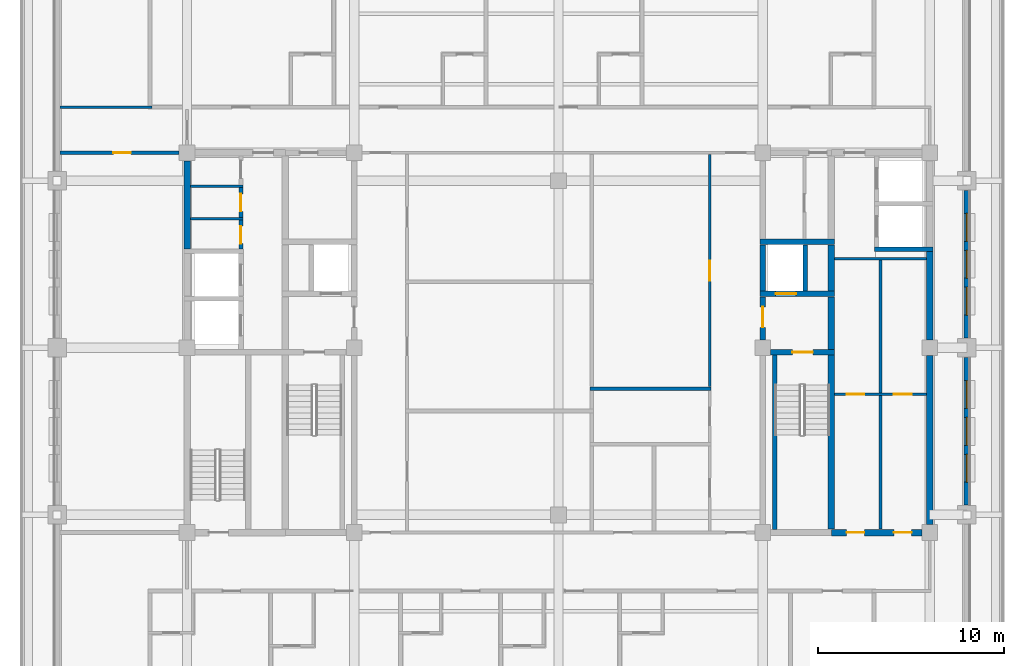
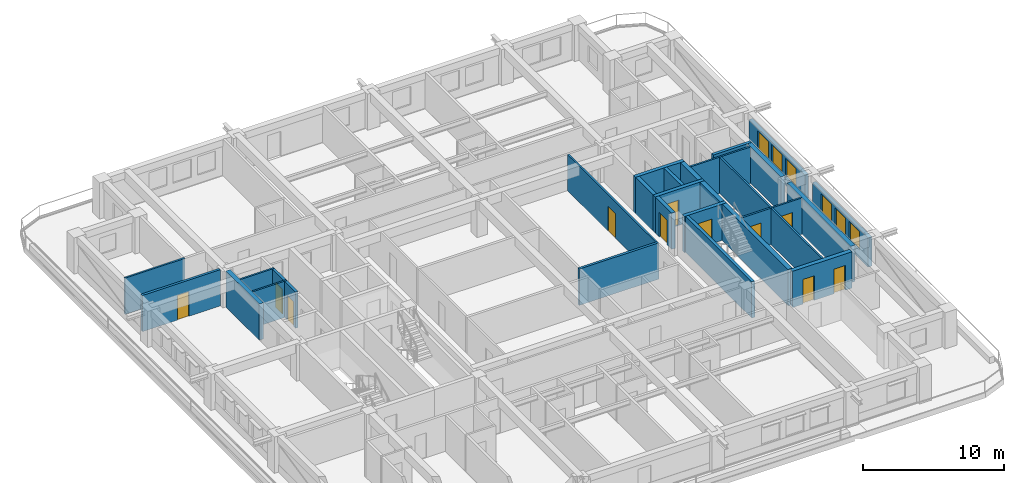
# One storey, part 5 of 15: 29 walls, 11 doors, 6 windows, 17 openings.
"""IFC4 building model written with IfcOpenShell, lengths in metres."""

from ifc_helpers import new_model, si_unit, direction, frame, frame_2d, origin, place, context, subcontext, project, spatial, rectangle, extrude, material, layer, layer_set, type_object, element, fill, save


model = new_model("IFC4")

# Units and contexts
model_context = context("Model", 3, precision=1e-05, world=origin(), true_north=direction((0.0, 1.0)))
body_context = subcontext(model_context, "Body", "Model", "MODEL_VIEW")
ifc_project = project(units=[si_unit("LENGTHUNIT", "METRE"), si_unit("AREAUNIT", "SQUARE_METRE"), si_unit("VOLUMEUNIT", "CUBIC_METRE"), si_unit("PLANEANGLEUNIT", "RADIAN"), si_unit("MASSUNIT", "GRAM", prefix="KILO")], contexts=[model_context])

# Site, building, storey
site_placement = place(None, origin())
site = spatial("IfcSite", under=ifc_project, at=site_placement, CompositionType="ELEMENT")
building_placement = place(site_placement, origin())
building = spatial("IfcBuilding", under=site, at=building_placement, Name="Zulmaris Gate Convention Tower", CompositionType="ELEMENT")
storey_placement = place(building_placement, frame((0.0, 0.0, 201.659912109375)))
storey = spatial("IfcBuildingStorey", under=building, at=storey_placement, Name="L52", CompositionType="ELEMENT", Elevation=201.659912109375)

# Walls
ifc_material_1 = material(Name="Concrete C50/60", Category="concrete")
ifc_layer_1 = layer(ifc_material_1, 0.25, Name="Concrete C50/60")
ifc_layer_set_1 = layer_set([ifc_layer_1], Name="Concrete C50/60")
wall_type_1 = type_object("IfcWallType", Name="CORE-250", PredefinedType="SOLIDWALL", material=ifc_layer_set_1)
wall_1_placement = place(storey_placement, frame((17.02490234375, 5.300048828125, 0.0), z_axis=(0.0, 0.0, 1.0), x_axis=(1.0, 0.0, 0.0)))
element("IfcWall", 1, at=wall_1_placement, inside=storey, type_object=wall_type_1, Name="WL-L52-011", PredefinedType="SOLIDWALL", context=body_context, shape_type="SweptSolid", body=[
    extrude(rectangle(XDim=3.150146484375, YDim=0.25, at=frame_2d((1.5751953125, 0.0))), origin(), (0.0, 0.0, 1.0), 3.150146484375),
])
wall_2_placement = place(storey_placement, frame((11.64990234375, -9.798095703125, 0.0), z_axis=(0.0, 0.0, 1.0), x_axis=(0.0, 1.0, 0.0)))
element("IfcWall", 2, at=wall_2_placement, inside=storey, type_object=wall_type_1, Name="WL-L52-066", PredefinedType="SOLIDWALL", context=body_context, shape_type="SweptSolid", body=[
    extrude(rectangle(XDim=9.39599609375, YDim=0.25, at=frame_2d((4.697998046875, 0.0))), origin(), (0.0, 0.0, 1.0), 3.150146484375),
])
wall_3_placement = place(storey_placement, frame((13.300048828125, 3.052001953125, 0.0), z_axis=(0.0, 0.0, 1.0), x_axis=(0.0, 1.0, 0.0)))
element("IfcWall", 3, at=wall_3_placement, inside=storey, type_object=wall_type_1, Name="WL-L52-067", PredefinedType="SOLIDWALL", context=body_context, shape_type="SweptSolid", body=[
    extrude(rectangle(XDim=2.49609375, YDim=0.25, at=frame_2d((1.248046875, 0.0))), origin(), (0.0, 0.0, 1.0), 3.150146484375),
])

# Wall, opening, door
ifc_layer_2 = layer(ifc_material_1, 0.300048828125, Name="Concrete C50/60")
ifc_layer_set_2 = layer_set([ifc_layer_2], Name="Concrete C50/60")
wall_type_2 = type_object("IfcWallType", Name="CORE-300", PredefinedType="SHEAR", material=ifc_layer_set_2)
wall_4_placement = place(storey_placement, frame((11.428955078125, -0.25, 0.0), z_axis=(0.0, 0.0, 1.0), x_axis=(1.0, 0.0, 0.0)))
wall_4 = element("IfcWall", 4, at=wall_4_placement, inside=storey, type_object=wall_type_2, Name="WL-L52-006", PredefinedType="SHEAR", context=body_context, shape_type="SweptSolid", body=[
    extrude(rectangle(XDim=3.446044921875, YDim=0.300048828125, at=frame_2d((1.72314453125, 0.0))), origin(), (0.0, 0.0, 1.0), 3.150146484375),
])
opening_1_placement = place(wall_4_placement, frame((1.1708984375, 0.0, 0.0)))
opening_1 = element("IfcOpeningElement", 5, at=opening_1_placement, cuts=wall_4, Name="Opening D-08", PredefinedType="OPENING", context=body_context, shape_type="SweptSolid", body=[
    extrude(rectangle(XDim=1.10009765625, YDim=2.14990234375, at=frame_2d((0.550048828125, 1.074951171875))), frame((0.0, 0.16015625, 0.0), z_axis=(0.0, -1.0, 0.0), x_axis=(1.0, 0.0, 0.0)), (0.0, 0.0, 1.0), 0.320068359375),
])
ifc_material_2 = material(Name="Fire-Rated Steel", Category="steel")
door_type_1 = type_object("IfcDoorType", Name="DR-1100-FD", OperationType="NOTDEFINED", PredefinedType="DOOR", material=ifc_material_2)
door_1_placement = place(opening_1_placement, origin())
door_1 = element("IfcDoor", 6, at=door_1_placement, inside=storey, type_object=door_type_1, Name="L52 Exit Stair ST-2 Door 04", OperationType="SINGLE_SWING_LEFT", OverallHeight=2.14990234375, OverallWidth=1.10009765625, PredefinedType="DOOR", context=body_context, shape_type="SweptSolid", body=[
    extrude(rectangle(XDim=1.10009765625, YDim=2.14990234375, at=frame_2d((0.550048828125, 1.074951171875))), frame((0.0, 0.02490234375, 0.0), z_axis=(0.0, -1.0, 0.0), x_axis=(1.0, 0.0, 0.0)), (0.0, 0.0, 1.0), 0.050048828125),
])
fill(opening_1, door_1)

wall_5_placement = place(storey_placement, frame((10.85009765625, 2.89990234375, 0.0), z_axis=(0.0, 0.0, 1.0), x_axis=(1.0, 0.0, 0.0)))
wall_5 = element("IfcWall", 7, at=wall_5_placement, inside=storey, type_object=wall_type_2, Name="WL-L52-009", PredefinedType="SHEAR", context=body_context, shape_type="SweptSolid", body=[
    extrude(rectangle(XDim=4.02490234375, YDim=0.300048828125, at=frame_2d((2.012451171875, 0.0))), origin(), (0.0, 0.0, 1.0), 3.150146484375),
])
opening_2_placement = place(wall_5_placement, frame((0.85009765625, 0.0, 0.0)))
opening_2 = element("IfcOpeningElement", 8, at=opening_2_placement, cuts=wall_5, Name="Opening D-06", PredefinedType="OPENING", context=body_context, shape_type="SweptSolid", body=[
    extrude(rectangle(XDim=1.10009765625, YDim=2.199951171875, at=frame_2d((0.550048828125, 1.10009765625))), frame((0.0, 0.16015625, 0.0), z_axis=(0.0, -1.0, 0.0), x_axis=(1.0, 0.0, 0.0)), (0.0, 0.0, 1.0), 0.320068359375),
])
ifc_material_3 = material(Name="Brushed Stainless Steel", Category="steel")
door_type_2 = type_object("IfcDoorType", Name="LD-1100", OperationType="NOTDEFINED", PredefinedType="DOOR", material=ifc_material_3)
door_2_placement = place(opening_2_placement, origin())
door_2 = element("IfcDoor", 9, at=door_2_placement, inside=storey, type_object=door_type_2, Name="L52 Lift Landing Door LF-02 06", OperationType="SLIDING_TO_RIGHT", OverallHeight=2.199951171875, OverallWidth=1.10009765625, PredefinedType="DOOR", context=body_context, shape_type="SweptSolid", body=[
    extrude(rectangle(XDim=1.10009765625, YDim=2.199951171875, at=frame_2d((0.550048828125, 1.10009765625))), frame((0.0, 0.02490234375, 0.0), z_axis=(0.0, -1.0, 0.0), x_axis=(1.0, 0.0, 0.0)), (0.0, 0.0, 1.0), 0.050048828125),
])
fill(opening_2, door_2)

# Wall
wall_6_placement = place(storey_placement, frame((10.85009765625, 5.699951171875, 0.0), z_axis=(0.0, 0.0, 1.0), x_axis=(1.0, 0.0, 0.0)))
element("IfcWall", 10, at=wall_6_placement, inside=storey, type_object=wall_type_2, Name="WL-L52-013", PredefinedType="SHEAR", context=body_context, shape_type="SweptSolid", body=[
    extrude(rectangle(XDim=4.02490234375, YDim=0.300048828125, at=frame_2d((2.012451171875, 0.0))), origin(), (0.0, 0.0, 1.0), 3.150146484375),
])

# Wall, opening, door
wall_7_placement = place(storey_placement, frame((11.0, 0.428955078125, 0.0), z_axis=(0.0, 0.0, 1.0), x_axis=(0.0, 1.0, 0.0)))
wall_7 = element("IfcWall", 11, at=wall_7_placement, inside=storey, type_object=wall_type_2, Name="WL-L52-063", PredefinedType="SHEAR", context=body_context, shape_type="SweptSolid", body=[
    extrude(rectangle(XDim=2.319091796875, YDim=0.300048828125, at=frame_2d((1.15966796875, 0.0))), origin(), (0.0, 0.0, 1.0), 3.150146484375),
])
opening_3_placement = place(wall_7_placement, frame((0.6708984375, 0.0, 0.0)))
opening_3 = element("IfcOpeningElement", 12, at=opening_3_placement, cuts=wall_7, Name="Opening D-08", PredefinedType="OPENING", context=body_context, shape_type="SweptSolid", body=[
    extrude(rectangle(XDim=1.10009765625, YDim=2.14990234375, at=frame_2d((0.550048828125, 1.074951171875))), frame((0.0, 0.16015625, 0.0), z_axis=(0.0, -1.0, 0.0), x_axis=(1.0, 0.0, 0.0)), (0.0, 0.0, 1.0), 0.320068359375),
])
door_3_placement = place(opening_3_placement, origin())
door_3 = element("IfcDoor", 13, at=door_3_placement, inside=storey, type_object=door_type_1, Name="L52 East Firefighting Lobby Door 05", OperationType="SINGLE_SWING_RIGHT", OverallHeight=2.14990234375, OverallWidth=1.10009765625, PredefinedType="DOOR", context=body_context, shape_type="SweptSolid", body=[
    extrude(rectangle(XDim=1.10009765625, YDim=2.14990234375, at=frame_2d((0.550048828125, 1.074951171875))), frame((0.0, 0.02490234375, 0.0), z_axis=(0.0, -1.0, 0.0), x_axis=(1.0, 0.0, 0.0)), (0.0, 0.0, 1.0), 0.050048828125),
])
fill(opening_3, door_3)

# Wall
wall_8_placement = place(storey_placement, frame((11.0, 3.052001953125, 0.0), z_axis=(0.0, 0.0, 1.0), x_axis=(0.0, 1.0, 0.0)))
element("IfcWall", 14, at=wall_8_placement, inside=storey, type_object=wall_type_2, Name="WL-L52-064", PredefinedType="SHEAR", context=body_context, shape_type="SweptSolid", body=[
    extrude(rectangle(XDim=2.49609375, YDim=0.300048828125, at=frame_2d((1.248046875, 0.0))), origin(), (0.0, 0.0, 1.0), 3.150146484375),
])

# Wall, openings, doors
ifc_material_4 = material(Name="Concrete C55/67", Category="concrete")
ifc_layer_3 = layer(ifc_material_4, 0.35009765625, Name="Concrete C55/67")
ifc_layer_set_3 = layer_set([ifc_layer_3], Name="Concrete C55/67")
wall_type_3 = type_object("IfcWallType", Name="CORE-350", PredefinedType="SHEAR", material=ifc_layer_set_3)
wall_9_placement = place(storey_placement, frame((14.699951171875, -9.949951171875, 0.0), z_axis=(0.0, 0.0, 1.0), x_axis=(1.0, 0.0, 0.0)))
wall_9 = element("IfcWall", 15, at=wall_9_placement, inside=storey, type_object=wall_type_3, Name="WL-L52-004", PredefinedType="SHEAR", context=body_context, shape_type="SweptSolid", body=[
    extrude(rectangle(XDim=4.87109375, YDim=0.35009765625, at=frame_2d((2.435546875, 0.0))), origin(), (0.0, 0.0, 1.0), 3.150146484375),
])
opening_4_placement = place(wall_9_placement, frame((0.824951171875, 0.0, 0.0)))
opening_4 = element("IfcOpeningElement", 16, at=opening_4_placement, cuts=wall_9, Name="Opening D-11", PredefinedType="OPENING", context=body_context, shape_type="SweptSolid", body=[
    extrude(rectangle(XDim=0.949951171875, YDim=2.14990234375, at=frame_2d((0.47509765625, 1.074951171875))), frame((0.0, 0.18505859375, 0.0), z_axis=(0.0, -1.0, 0.0), x_axis=(1.0, 0.0, 0.0)), (0.0, 0.0, 1.0), 0.3701171875),
])
opening_5_placement = place(wall_9_placement, frame((3.375, 0.0, 0.0)))
opening_5 = element("IfcOpeningElement", 17, at=opening_5_placement, cuts=wall_9, Name="Opening D-11", PredefinedType="OPENING", context=body_context, shape_type="SweptSolid", body=[
    extrude(rectangle(XDim=0.949951171875, YDim=2.14990234375, at=frame_2d((0.47509765625, 1.074951171875))), frame((0.0, 0.18505859375, 0.0), z_axis=(0.0, -1.0, 0.0), x_axis=(1.0, 0.0, 0.0)), (0.0, 0.0, 1.0), 0.3701171875),
])
ifc_material_5 = material(Name="Fire-Rated Timber", Category="wood")
door_type_3 = type_object("IfcDoorType", Name="DR-950-FD", OperationType="NOTDEFINED", PredefinedType="DOOR", material=ifc_material_5)
door_4_placement = place(opening_4_placement, origin())
door_4 = element("IfcDoor", 18, at=door_4_placement, inside=storey, type_object=door_type_3, Name="L52 Staff WC Door 20", OperationType="SINGLE_SWING_RIGHT", OverallHeight=2.14990234375, OverallWidth=0.949951171875, PredefinedType="DOOR", context=body_context, shape_type="SweptSolid", body=[
    extrude(rectangle(XDim=0.949951171875, YDim=2.14990234375, at=frame_2d((0.47509765625, 1.074951171875))), frame((0.0, 0.02490234375, 0.0), z_axis=(0.0, -1.0, 0.0), x_axis=(1.0, 0.0, 0.0)), (0.0, 0.0, 1.0), 0.050048828125),
])
fill(opening_4, door_4)
door_5_placement = place(opening_5_placement, origin())
door_5 = element("IfcDoor", 19, at=door_5_placement, inside=storey, type_object=door_type_3, Name="L52 Vending Room Door 22", OperationType="SINGLE_SWING_RIGHT", OverallHeight=2.14990234375, OverallWidth=0.949951171875, PredefinedType="DOOR", context=body_context, shape_type="SweptSolid", body=[
    extrude(rectangle(XDim=0.949951171875, YDim=2.14990234375, at=frame_2d((0.47509765625, 1.074951171875))), frame((0.0, 0.02490234375, 0.0), z_axis=(0.0, -1.0, 0.0), x_axis=(1.0, 0.0, 0.0)), (0.0, 0.0, 1.0), 0.050048828125),
])
fill(opening_5, door_5)

# Walls
wall_10_placement = place(storey_placement, frame((-20.0, 5.326904296875, 0.0), z_axis=(0.0, 0.0, 1.0), x_axis=(0.0, 1.0, 0.0)))
element("IfcWall", 20, at=wall_10_placement, inside=storey, type_object=wall_type_3, Name="WL-L52-048", PredefinedType="SHEAR", context=body_context, shape_type="SweptSolid", body=[
    extrude(rectangle(XDim=4.744140625, YDim=0.35009765625, at=frame_2d((2.3720703125, 0.0))), origin(), (0.0, 0.0, 1.0), 3.150146484375),
])
wall_11_placement = place(storey_placement, frame((14.699951171875, -9.77294921875, 0.0), z_axis=(0.0, 0.0, 1.0), x_axis=(0.0, 1.0, 0.0)))
element("IfcWall", 21, at=wall_11_placement, inside=storey, type_object=wall_type_3, Name="WL-L52-068", PredefinedType="SHEAR", context=body_context, shape_type="SweptSolid", body=[
    extrude(rectangle(XDim=9.370849609375, YDim=0.35009765625, at=frame_2d((4.685546875, 0.0))), origin(), (0.0, 0.0, 1.0), 3.150146484375),
])
wall_12_placement = place(storey_placement, frame((14.699951171875, -0.097900390625, 0.0), z_axis=(0.0, 0.0, 1.0), x_axis=(0.0, 1.0, 0.0)))
element("IfcWall", 22, at=wall_12_placement, inside=storey, type_object=wall_type_3, Name="WL-L52-069", PredefinedType="SHEAR", context=body_context, shape_type="SweptSolid", body=[
    extrude(rectangle(XDim=2.845947265625, YDim=0.35009765625, at=frame_2d((1.4228515625, 0.0))), origin(), (0.0, 0.0, 1.0), 3.150146484375),
])
wall_13_placement = place(storey_placement, frame((14.699951171875, 3.052001953125, 0.0), z_axis=(0.0, 0.0, 1.0), x_axis=(0.0, 1.0, 0.0)))
element("IfcWall", 23, at=wall_13_placement, inside=storey, type_object=wall_type_3, Name="WL-L52-070", PredefinedType="SHEAR", context=body_context, shape_type="SweptSolid", body=[
    extrude(rectangle(XDim=2.49609375, YDim=0.35009765625, at=frame_2d((1.248046875, 0.0))), origin(), (0.0, 0.0, 1.0), 3.150146484375),
])
wall_14_placement = place(storey_placement, frame((20.0, -9.52099609375, 0.0), z_axis=(0.0, 0.0, 1.0), x_axis=(0.0, 1.0, 0.0)))
element("IfcWall", 24, at=wall_14_placement, inside=storey, type_object=wall_type_3, Name="WL-L52-074", PredefinedType="SHEAR", context=body_context, shape_type="SweptSolid", body=[
    extrude(rectangle(XDim=9.092041015625, YDim=0.35009765625, at=frame_2d((4.5458984375, 0.0))), origin(), (0.0, 0.0, 1.0), 3.150146484375),
])
wall_15_placement = place(storey_placement, frame((20.0, 0.428955078125, 0.0), z_axis=(0.0, 0.0, 1.0), x_axis=(0.0, 1.0, 0.0)))
element("IfcWall", 25, at=wall_15_placement, inside=storey, type_object=wall_type_3, Name="WL-L52-074S1", PredefinedType="SHEAR", context=body_context, shape_type="SweptSolid", body=[
    extrude(rectangle(XDim=4.744140625, YDim=0.35009765625, at=frame_2d((2.3720703125, 0.0))), origin(), (0.0, 0.0, 1.0), 3.150146484375),
])

# Wall, openings, doors
ifc_material_6 = material(Name="Gypsum Metal Stud Partition")
ifc_layer_4 = layer(ifc_material_6, 0.14990234375, Name="Gypsum Metal Stud Partition")
ifc_layer_set_4 = layer_set([ifc_layer_4], Name="Gypsum Metal Stud Partition")
wall_type_4 = type_object("IfcWallType", Name="PART-150", PredefinedType="PARTITIONING", material=ifc_layer_set_4)
wall_16_placement = place(storey_placement, frame((14.8779296875, -2.5, 0.0), z_axis=(0.0, 0.0, 1.0), x_axis=(1.0, 0.0, 0.0)))
wall_16 = element("IfcWall", 26, at=wall_16_placement, inside=storey, type_object=wall_type_4, Name="WL-L52-030", PredefinedType="PARTITIONING", context=body_context, shape_type="SweptSolid", body=[
    extrude(rectangle(XDim=4.944091796875, YDim=0.14990234375, at=frame_2d((2.47216796875, 0.0))), origin(), (0.0, 0.0, 1.0), 3.150146484375),
])
opening_6_placement = place(wall_16_placement, frame((0.64697265625, 0.0, 0.0)))
opening_6 = element("IfcOpeningElement", 27, at=opening_6_placement, cuts=wall_16, Name="Opening D-11", PredefinedType="OPENING", context=body_context, shape_type="SweptSolid", body=[
    extrude(rectangle(XDim=0.949951171875, YDim=2.14990234375, at=frame_2d((0.47509765625, 1.074951171875))), frame((0.0, 0.0849609375, 0.0), z_axis=(0.0, -1.0, 0.0), x_axis=(1.0, 0.0, 0.0)), (0.0, 0.0, 1.0), 0.169921875),
])
opening_7_placement = place(wall_16_placement, frame((3.197021484375, 0.0, 0.0)))
opening_7 = element("IfcOpeningElement", 28, at=opening_7_placement, cuts=wall_16, Name="Opening D-11", PredefinedType="OPENING", context=body_context, shape_type="SweptSolid", body=[
    extrude(rectangle(XDim=0.949951171875, YDim=2.14990234375, at=frame_2d((0.47509765625, 1.074951171875))), frame((0.0, 0.0849609375, 0.0), z_axis=(0.0, -1.0, 0.0), x_axis=(1.0, 0.0, 0.0)), (0.0, 0.0, 1.0), 0.169921875),
])
door_6_placement = place(opening_6_placement, origin())
door_6 = element("IfcDoor", 29, at=door_6_placement, inside=storey, type_object=door_type_3, Name="L52 Locker Store Door 21", OperationType="SINGLE_SWING_LEFT", OverallHeight=2.14990234375, OverallWidth=0.949951171875, PredefinedType="DOOR", context=body_context, shape_type="SweptSolid", body=[
    extrude(rectangle(XDim=0.949951171875, YDim=2.14990234375, at=frame_2d((0.47509765625, 1.074951171875))), frame((0.0, 0.02490234375, 0.0), z_axis=(0.0, -1.0, 0.0), x_axis=(1.0, 0.0, 0.0)), (0.0, 0.0, 1.0), 0.050048828125),
])
fill(opening_6, door_6)
door_7_placement = place(opening_7_placement, origin())
door_7 = element("IfcDoor", 30, at=door_7_placement, inside=storey, type_object=door_type_3, Name="L52 Ice Store Door 23", OperationType="SINGLE_SWING_LEFT", OverallHeight=2.14990234375, OverallWidth=0.949951171875, PredefinedType="DOOR", context=body_context, shape_type="SweptSolid", body=[
    extrude(rectangle(XDim=0.949951171875, YDim=2.14990234375, at=frame_2d((0.47509765625, 1.074951171875))), frame((0.0, 0.02490234375, 0.0), z_axis=(0.0, -1.0, 0.0), x_axis=(1.0, 0.0, 0.0)), (0.0, 0.0, 1.0), 0.050048828125),
])
fill(opening_7, door_7)

# Walls
wall_17_placement = place(storey_placement, frame((14.8779296875, 4.800048828125, 0.0), z_axis=(0.0, 0.0, 1.0), x_axis=(1.0, 0.0, 0.0)))
element("IfcWall", 31, at=wall_17_placement, inside=storey, type_object=wall_type_4, Name="WL-L52-033", PredefinedType="PARTITIONING", context=body_context, shape_type="SweptSolid", body=[
    extrude(rectangle(XDim=4.944091796875, YDim=0.14990234375, at=frame_2d((2.47216796875, 0.0))), origin(), (0.0, 0.0, 1.0), 3.150146484375),
])
for number, where, z_axis, x_axis, name in (
    (32, (-19.822021484375, 6.949951171875, 0.0), (0.0, 0.0, 1.0), (1.0, 0.0, 0.0), "WL-L52-034"),
    (33, (-19.822021484375, 8.699951171875, 0.0), (0.0, 0.0, 1.0), (1.0, 0.0, 0.0), "WL-L52-035"),
):
    element("IfcWall", number, at=place(storey_placement, frame(where, z_axis=z_axis, x_axis=x_axis)), inside=storey, type_object=wall_type_4, Name=name, PredefinedType="PARTITIONING", context=body_context, shape_type="SweptSolid", body=[
        extrude(rectangle(XDim=2.822021484375, YDim=0.14990234375, at=frame_2d((1.4111328125, 0.0))), origin(), (0.0, 0.0, 1.0), 3.150146484375),
    ])
wall_18_placement = place(storey_placement, frame((-26.8349609375, 12.949951171875, 0.0), z_axis=(0.0, 0.0, 1.0), x_axis=(1.0, 0.0, 0.0)))
element("IfcWall", 34, at=wall_18_placement, inside=storey, type_object=wall_type_4, Name="WL-L52-038", PredefinedType="PARTITIONING", context=body_context, shape_type="SweptSolid", body=[
    extrude(rectangle(XDim=4.93505859375, YDim=0.14990234375, at=frame_2d((2.467529296875, 0.0))), origin(), (0.0, 0.0, 1.0), 3.150146484375),
])

# Wall, opening, door
wall_19_placement = place(storey_placement, frame((8.14990234375, -2.096923828125, 0.0), z_axis=(0.0, 0.0, 1.0), x_axis=(0.0, 1.0, 0.0)))
wall_19 = element("IfcWall", 35, at=wall_19_placement, inside=storey, type_object=wall_type_4, Name="WL-L52-118", PredefinedType="PARTITIONING", context=body_context, shape_type="SweptSolid", body=[
    extrude(rectangle(XDim=12.51904296875, YDim=0.14990234375, at=frame_2d((6.259521484375, 0.0))), origin(), (0.0, 0.0, 1.0), 3.150146484375),
])
opening_8_placement = place(wall_19_placement, frame((5.697021484375, 0.0, 0.0)))
opening_8 = element("IfcOpeningElement", 36, at=opening_8_placement, cuts=wall_19, Name="Opening D-08", PredefinedType="OPENING", context=body_context, shape_type="SweptSolid", body=[
    extrude(rectangle(XDim=1.10009765625, YDim=2.14990234375, at=frame_2d((0.550048828125, 1.074951171875))), frame((0.0, 0.0849609375, 0.0), z_axis=(0.0, -1.0, 0.0), x_axis=(1.0, 0.0, 0.0)), (0.0, 0.0, 1.0), 0.169921875),
])
door_8_placement = place(opening_8_placement, origin())
door_8 = element("IfcDoor", 37, at=door_8_placement, inside=storey, type_object=door_type_1, Name="L52 Breakout Room Door 50", OperationType="SINGLE_SWING_RIGHT", OverallHeight=2.14990234375, OverallWidth=1.10009765625, PredefinedType="DOOR", context=body_context, shape_type="SweptSolid", body=[
    extrude(rectangle(XDim=1.10009765625, YDim=2.14990234375, at=frame_2d((0.550048828125, 1.074951171875))), frame((0.0, 0.02490234375, 0.0), z_axis=(0.0, -1.0, 0.0), x_axis=(1.0, 0.0, 0.0)), (0.0, 0.0, 1.0), 0.050048828125),
])
fill(opening_8, door_8)

# Walls
wall_20_placement = place(storey_placement, frame((17.35009765625, -9.77197265625, 0.0), z_axis=(0.0, 0.0, 1.0), x_axis=(0.0, 1.0, 0.0)))
element("IfcWall", 38, at=wall_20_placement, inside=storey, type_object=wall_type_4, Name="WL-L52-125", PredefinedType="PARTITIONING", context=body_context, shape_type="SweptSolid", body=[
    extrude(rectangle(XDim=7.194091796875, YDim=0.14990234375, at=frame_2d((3.59716796875, 0.0))), origin(), (0.0, 0.0, 1.0), 3.150146484375),
])
wall_21_placement = place(storey_placement, frame((17.35009765625, -2.422119140625, 0.0), z_axis=(0.0, 0.0, 1.0), x_axis=(0.0, 1.0, 0.0)))
element("IfcWall", 39, at=wall_21_placement, inside=storey, type_object=wall_type_4, Name="WL-L52-126", PredefinedType="PARTITIONING", context=body_context, shape_type="SweptSolid", body=[
    extrude(rectangle(XDim=7.14404296875, YDim=0.14990234375, at=frame_2d((3.572021484375, 0.0))), origin(), (0.0, 0.0, 1.0), 3.150146484375),
])
ifc_material_7 = material(Name="Autoclaved Aerated Concrete Block and Plasterboard", Category="concrete")
ifc_layer_5 = layer(ifc_material_7, 0.199951171875, Name="Autoclaved Aerated Concrete Block and Plasterboard")
ifc_layer_set_5 = layer_set([ifc_layer_5], Name="Autoclaved Aerated Concrete Block and Plasterboard")
wall_type_5 = type_object("IfcWallType", Name="PART-200", PredefinedType="PARTITIONING", material=ifc_layer_set_5)
wall_22_placement = place(storey_placement, frame((1.699951171875, -2.199951171875, 0.0), z_axis=(0.0, 0.0, 1.0), x_axis=(1.0, 0.0, 0.0)))
element("IfcWall", 40, at=wall_22_placement, inside=storey, type_object=wall_type_5, Name="WL-L52-031", PredefinedType="PARTITIONING", context=body_context, shape_type="SweptSolid", body=[
    extrude(rectangle(XDim=6.525146484375, YDim=0.199951171875, at=frame_2d((3.2626953125, 0.0))), origin(), (0.0, 0.0, 1.0), 3.150146484375),
])

# Wall, opening, door
wall_23_placement = place(storey_placement, frame((-26.8349609375, 10.5, 0.0), z_axis=(0.0, 0.0, 1.0), x_axis=(1.0, 0.0, 0.0)))
wall_23 = element("IfcWall", 41, at=wall_23_placement, inside=storey, type_object=wall_type_5, Name="WL-L52-036", PredefinedType="PARTITIONING", context=body_context, shape_type="SweptSolid", body=[
    extrude(rectangle(XDim=6.404052734375, YDim=0.199951171875, at=frame_2d((3.2021484375, 0.0))), origin(), (0.0, 0.0, 1.0), 3.150146484375),
])
opening_9_placement = place(wall_23_placement, frame((2.860107421875, 0.0, 0.0)))
opening_9 = element("IfcOpeningElement", 42, at=opening_9_placement, cuts=wall_23, Name="Opening D-11", PredefinedType="OPENING", context=body_context, shape_type="SweptSolid", body=[
    extrude(rectangle(XDim=0.949951171875, YDim=2.14990234375, at=frame_2d((0.47509765625, 1.074951171875))), frame((0.0, 0.10986328125, 0.0), z_axis=(0.0, -1.0, 0.0), x_axis=(1.0, 0.0, 0.0)), (0.0, 0.0, 1.0), 0.219970703125),
])
door_9_placement = place(opening_9_placement, origin())
door_9 = element("IfcDoor", 43, at=door_9_placement, inside=storey, type_object=door_type_3, Name="L52 Sunset Lounge Door 55", OperationType="SINGLE_SWING_LEFT", OverallHeight=2.14990234375, OverallWidth=0.949951171875, PredefinedType="DOOR", context=body_context, shape_type="SweptSolid", body=[
    extrude(rectangle(XDim=0.949951171875, YDim=2.14990234375, at=frame_2d((0.47509765625, 1.074951171875))), frame((0.0, 0.02490234375, 0.0), z_axis=(0.0, -1.0, 0.0), x_axis=(1.0, 0.0, 0.0)), (0.0, 0.0, 1.0), 0.050048828125),
])
fill(opening_9, door_9)

wall_24_placement = place(storey_placement, frame((-17.10009765625, 5.327880859375, 0.0), z_axis=(0.0, 0.0, 1.0), x_axis=(0.0, 1.0, 0.0)))
wall_24 = element("IfcWall", 44, at=wall_24_placement, inside=storey, type_object=wall_type_5, Name="WL-L52-083", PredefinedType="PARTITIONING", context=body_context, shape_type="SweptSolid", body=[
    extrude(rectangle(XDim=1.544189453125, YDim=0.199951171875, at=frame_2d((0.77197265625, 0.0))), origin(), (0.0, 0.0, 1.0), 3.150146484375),
])
opening_10_placement = place(wall_24_placement, frame((0.277099609375, 0.0, 0.0)))
opening_10 = element("IfcOpeningElement", 45, at=opening_10_placement, cuts=wall_24, Name="Opening D-11", PredefinedType="OPENING", context=body_context, shape_type="SweptSolid", body=[
    extrude(rectangle(XDim=0.949951171875, YDim=2.14990234375, at=frame_2d((0.47509765625, 1.074951171875))), frame((0.0, 0.10986328125, 0.0), z_axis=(0.0, -1.0, 0.0), x_axis=(1.0, 0.0, 0.0)), (0.0, 0.0, 1.0), 0.219970703125),
])
door_10_placement = place(opening_10_placement, origin())
door_10 = element("IfcDoor", 46, at=door_10_placement, inside=storey, type_object=door_type_3, Name="L52 Linen Closet Door 16", OperationType="SINGLE_SWING_RIGHT", OverallHeight=2.14990234375, OverallWidth=0.949951171875, PredefinedType="DOOR", context=body_context, shape_type="SweptSolid", body=[
    extrude(rectangle(XDim=0.949951171875, YDim=2.14990234375, at=frame_2d((0.47509765625, 1.074951171875))), frame((0.0, 0.02490234375, 0.0), z_axis=(0.0, -1.0, 0.0), x_axis=(1.0, 0.0, 0.0)), (0.0, 0.0, 1.0), 0.050048828125),
])
fill(opening_10, door_10)

wall_25_placement = place(storey_placement, frame((-17.10009765625, 7.028076171875, 0.0), z_axis=(0.0, 0.0, 1.0), x_axis=(0.0, 1.0, 0.0)))
wall_25 = element("IfcWall", 47, at=wall_25_placement, inside=storey, type_object=wall_type_5, Name="WL-L52-084", PredefinedType="PARTITIONING", context=body_context, shape_type="SweptSolid", body=[
    extrude(rectangle(XDim=1.593994140625, YDim=0.199951171875, at=frame_2d((0.796875, 0.0))), origin(), (0.0, 0.0, 1.0), 3.150146484375),
])
opening_11_placement = place(wall_25_placement, frame((0.31689453125, 0.0, 0.0)))
opening_11 = element("IfcOpeningElement", 48, at=opening_11_placement, cuts=wall_25, Name="Opening D-11", PredefinedType="OPENING", context=body_context, shape_type="SweptSolid", body=[
    extrude(rectangle(XDim=0.949951171875, YDim=2.14990234375, at=frame_2d((0.47509765625, 1.074951171875))), frame((0.0, 0.10986328125, 0.0), z_axis=(0.0, -1.0, 0.0), x_axis=(1.0, 0.0, 0.0)), (0.0, 0.0, 1.0), 0.219970703125),
])
door_11_placement = place(opening_11_placement, origin())
door_11 = element("IfcDoor", 49, at=door_11_placement, inside=storey, type_object=door_type_3, Name="L52 Ice Pantry Door 15", OperationType="SINGLE_SWING_LEFT", OverallHeight=2.14990234375, OverallWidth=0.949951171875, PredefinedType="DOOR", context=body_context, shape_type="SweptSolid", body=[
    extrude(rectangle(XDim=0.949951171875, YDim=2.14990234375, at=frame_2d((0.47509765625, 1.074951171875))), frame((0.0, 0.02490234375, 0.0), z_axis=(0.0, -1.0, 0.0), x_axis=(1.0, 0.0, 0.0)), (0.0, 0.0, 1.0), 0.050048828125),
])
fill(opening_11, door_11)

# Wall, openings, windows
ifc_material_8 = material(Name="Precast concrete C40/50", Category="concrete")
ifc_layer_6 = layer(ifc_material_8, 0.300048828125, Name="Precast concrete C40/50")
ifc_layer_set_6 = layer_set([ifc_layer_6], Name="Precast concrete C40/50")
wall_type_6 = type_object("IfcWallType", Name="PRECAST-PIER-300", PredefinedType="STANDARD", material=ifc_layer_set_6)
wall_26_placement = place(storey_placement, frame((22.0, -8.469970703125, 0.0), z_axis=(0.0, 0.0, 1.0), x_axis=(0.0, 1.0, 0.0)))
wall_26 = element("IfcWall", 50, at=wall_26_placement, inside=storey, type_object=wall_type_6, Name="EW-L52-E-1_0", PredefinedType="STANDARD", context=body_context, shape_type="SweptSolid", body=[
    extrude(rectangle(XDim=7.93994140625, YDim=0.300048828125, at=frame_2d((3.969970703125, 0.0))), origin(), (0.0, 0.0, 1.0), 2.542236328125),
])
opening_12_placement = place(wall_26_placement, frame((1.235107421875, 0.0, 0.719970703125)))
opening_12 = element("IfcOpeningElement", 51, at=opening_12_placement, cuts=wall_26, Name="Opening W-03", PredefinedType="OPENING", context=body_context, shape_type="SweptSolid", body=[
    extrude(rectangle(XDim=1.5, YDim=1.60009765625, at=frame_2d((0.75, 0.800048828125))), frame((0.0, 0.16015625, 0.0), z_axis=(0.0, -1.0, 0.0), x_axis=(1.0, 0.0, 0.0)), (0.0, 0.0, 1.0), 0.320068359375),
])
opening_13_placement = place(wall_26_placement, frame((3.219970703125, 0.0, 0.719970703125)))
opening_13 = element("IfcOpeningElement", 52, at=opening_13_placement, cuts=wall_26, Name="Opening W-03", PredefinedType="OPENING", context=body_context, shape_type="SweptSolid", body=[
    extrude(rectangle(XDim=1.5, YDim=1.60009765625, at=frame_2d((0.75, 0.800048828125))), frame((0.0, 0.16015625, 0.0), z_axis=(0.0, -1.0, 0.0), x_axis=(1.0, 0.0, 0.0)), (0.0, 0.0, 1.0), 0.320068359375),
])
opening_14_placement = place(wall_26_placement, frame((5.205078125, 0.0, 0.719970703125)))
opening_14 = element("IfcOpeningElement", 53, at=opening_14_placement, cuts=wall_26, Name="Opening W-03", PredefinedType="OPENING", context=body_context, shape_type="SweptSolid", body=[
    extrude(rectangle(XDim=1.5, YDim=1.60009765625, at=frame_2d((0.75, 0.800048828125))), frame((0.0, 0.16015625, 0.0), z_axis=(0.0, -1.0, 0.0), x_axis=(1.0, 0.0, 0.0)), (0.0, 0.0, 1.0), 0.320068359375),
])
ifc_material_9 = material(Name="Low-E Laminated Double Glazing in Aluminium Frame", Category="aluminium")
window_type = type_object("IfcWindowType", Name="WIN-1500x2100", PartitioningType="SINGLE_PANEL", PredefinedType="WINDOW", material=ifc_material_9)
window_1_placement = place(opening_12_placement, origin())
window_1 = element("IfcWindow", 54, at=window_1_placement, inside=storey, type_object=window_type, Name="WN-EW-L52-E-1_0-1", OverallHeight=1.60009765625, OverallWidth=1.5, PartitioningType="SINGLE_PANEL", PredefinedType="WINDOW", context=body_context, shape_type="SweptSolid", body=[
    extrude(rectangle(XDim=1.5, YDim=1.60009765625, at=frame_2d((0.75, 0.800048828125))), frame((0.0, 0.030029296875, 0.0), z_axis=(0.0, -1.0, 0.0), x_axis=(1.0, 0.0, 0.0)), (0.0, 0.0, 1.0), 0.06005859375),
])
fill(opening_12, window_1)
window_2_placement = place(opening_13_placement, origin())
window_2 = element("IfcWindow", 55, at=window_2_placement, inside=storey, type_object=window_type, Name="WN-EW-L52-E-1_0-2", OverallHeight=1.60009765625, OverallWidth=1.5, PartitioningType="SINGLE_PANEL", PredefinedType="WINDOW", context=body_context, shape_type="SweptSolid", body=[
    extrude(rectangle(XDim=1.5, YDim=1.60009765625, at=frame_2d((0.75, 0.800048828125))), frame((0.0, 0.030029296875, 0.0), z_axis=(0.0, -1.0, 0.0), x_axis=(1.0, 0.0, 0.0)), (0.0, 0.0, 1.0), 0.06005859375),
])
fill(opening_13, window_2)
window_3_placement = place(opening_14_placement, origin())
window_3 = element("IfcWindow", 56, at=window_3_placement, inside=storey, type_object=window_type, Name="WN-EW-L52-E-1_0-3", OverallHeight=1.60009765625, OverallWidth=1.5, PartitioningType="SINGLE_PANEL", PredefinedType="WINDOW", context=body_context, shape_type="SweptSolid", body=[
    extrude(rectangle(XDim=1.5, YDim=1.60009765625, at=frame_2d((0.75, 0.800048828125))), frame((0.0, 0.030029296875, 0.0), z_axis=(0.0, -1.0, 0.0), x_axis=(1.0, 0.0, 0.0)), (0.0, 0.0, 1.0), 0.06005859375),
])
fill(opening_14, window_3)

wall_27_placement = place(storey_placement, frame((22.0, 0.530029296875, 0.0), z_axis=(0.0, 0.0, 1.0), x_axis=(0.0, 1.0, 0.0)))
wall_27 = element("IfcWall", 57, at=wall_27_placement, inside=storey, type_object=wall_type_6, Name="EW-L52-E-2_0", PredefinedType="STANDARD", context=body_context, shape_type="SweptSolid", body=[
    extrude(rectangle(XDim=7.93994140625, YDim=0.300048828125, at=frame_2d((3.969970703125, 0.0))), origin(), (0.0, 0.0, 1.0), 2.542236328125),
])
opening_15_placement = place(wall_27_placement, frame((1.235107421875, 0.0, 0.719970703125)))
opening_15 = element("IfcOpeningElement", 58, at=opening_15_placement, cuts=wall_27, Name="Opening W-03", PredefinedType="OPENING", context=body_context, shape_type="SweptSolid", body=[
    extrude(rectangle(XDim=1.5, YDim=1.60009765625, at=frame_2d((0.75, 0.800048828125))), frame((0.0, 0.16015625, 0.0), z_axis=(0.0, -1.0, 0.0), x_axis=(1.0, 0.0, 0.0)), (0.0, 0.0, 1.0), 0.320068359375),
])
opening_16_placement = place(wall_27_placement, frame((3.219970703125, 0.0, 0.719970703125)))
opening_16 = element("IfcOpeningElement", 59, at=opening_16_placement, cuts=wall_27, Name="Opening W-03", PredefinedType="OPENING", context=body_context, shape_type="SweptSolid", body=[
    extrude(rectangle(XDim=1.5, YDim=1.60009765625, at=frame_2d((0.75, 0.800048828125))), frame((0.0, 0.16015625, 0.0), z_axis=(0.0, -1.0, 0.0), x_axis=(1.0, 0.0, 0.0)), (0.0, 0.0, 1.0), 0.320068359375),
])
opening_17_placement = place(wall_27_placement, frame((5.205078125, 0.0, 0.719970703125)))
opening_17 = element("IfcOpeningElement", 60, at=opening_17_placement, cuts=wall_27, Name="Opening W-03", PredefinedType="OPENING", context=body_context, shape_type="SweptSolid", body=[
    extrude(rectangle(XDim=1.5, YDim=1.60009765625, at=frame_2d((0.75, 0.800048828125))), frame((0.0, 0.16015625, 0.0), z_axis=(0.0, -1.0, 0.0), x_axis=(1.0, 0.0, 0.0)), (0.0, 0.0, 1.0), 0.320068359375),
])
window_4_placement = place(opening_15_placement, origin())
window_4 = element("IfcWindow", 61, at=window_4_placement, inside=storey, type_object=window_type, Name="WN-EW-L52-E-2_0-1", OverallHeight=1.60009765625, OverallWidth=1.5, PartitioningType="SINGLE_PANEL", PredefinedType="WINDOW", context=body_context, shape_type="SweptSolid", body=[
    extrude(rectangle(XDim=1.5, YDim=1.60009765625, at=frame_2d((0.75, 0.800048828125))), frame((0.0, 0.030029296875, 0.0), z_axis=(0.0, -1.0, 0.0), x_axis=(1.0, 0.0, 0.0)), (0.0, 0.0, 1.0), 0.06005859375),
])
fill(opening_15, window_4)
window_5_placement = place(opening_16_placement, origin())
window_5 = element("IfcWindow", 62, at=window_5_placement, inside=storey, type_object=window_type, Name="WN-EW-L52-E-2_0-2", OverallHeight=1.60009765625, OverallWidth=1.5, PartitioningType="SINGLE_PANEL", PredefinedType="WINDOW", context=body_context, shape_type="SweptSolid", body=[
    extrude(rectangle(XDim=1.5, YDim=1.60009765625, at=frame_2d((0.75, 0.800048828125))), frame((0.0, 0.030029296875, 0.0), z_axis=(0.0, -1.0, 0.0), x_axis=(1.0, 0.0, 0.0)), (0.0, 0.0, 1.0), 0.06005859375),
])
fill(opening_16, window_5)
window_6_placement = place(opening_17_placement, origin())
window_6 = element("IfcWindow", 63, at=window_6_placement, inside=storey, type_object=window_type, Name="WN-EW-L52-E-2_0-3", OverallHeight=1.60009765625, OverallWidth=1.5, PartitioningType="SINGLE_PANEL", PredefinedType="WINDOW", context=body_context, shape_type="SweptSolid", body=[
    extrude(rectangle(XDim=1.5, YDim=1.60009765625, at=frame_2d((0.75, 0.800048828125))), frame((0.0, 0.030029296875, 0.0), z_axis=(0.0, -1.0, 0.0), x_axis=(1.0, 0.0, 0.0)), (0.0, 0.0, 1.0), 0.06005859375),
])
fill(opening_17, window_6)

save(model, "model.ifc")
